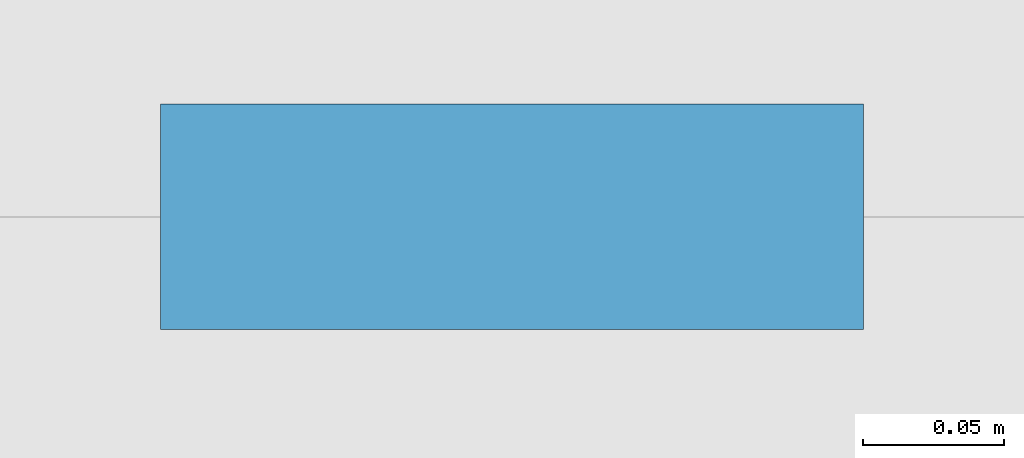
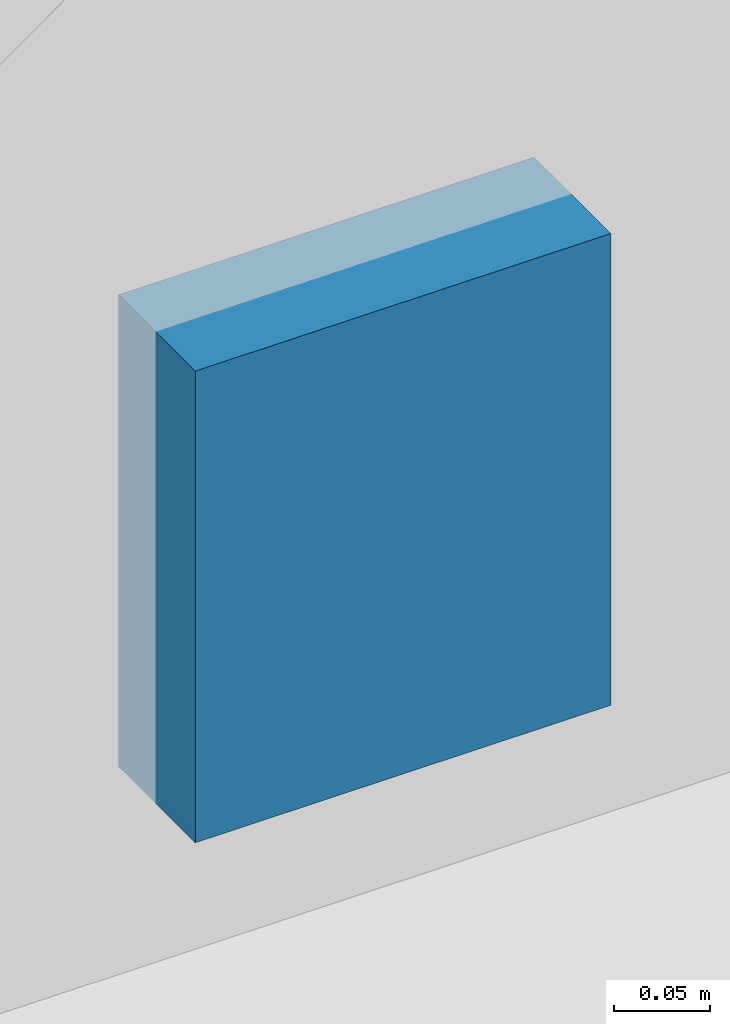
# One storey, part 111 of 249: 1 discrete accessory.
"""IFC4 building model written with IfcOpenShell, lengths in metres."""

from ifc_helpers import new_model, si_unit, direction, frame, origin, origin_2d, place, context, subcontext, project, spatial, rectangle, extrude, material, layer, layer_set, type_object, element, save


model = new_model("IFC4")

# Units and contexts
model_context = context("Model", 3, precision=1e-05, world=origin(), true_north=direction((0.0, 1.0)))
body_context = subcontext(model_context, "Body", "Model", "MODEL_VIEW")
ifc_project = project(units=[si_unit("LENGTHUNIT", "METRE"), si_unit("AREAUNIT", "SQUARE_METRE"), si_unit("VOLUMEUNIT", "CUBIC_METRE"), si_unit("PLANEANGLEUNIT", "RADIAN"), si_unit("MASSUNIT", "GRAM", prefix="KILO")], contexts=[model_context])

# Site, building, storey
site_placement = place(None, origin())
site = spatial("IfcSite", under=ifc_project, at=site_placement, CompositionType="ELEMENT")
building_placement = place(site_placement, origin())
building = spatial("IfcBuilding", under=site, at=building_placement, Name="Ogive Plaza Stadium", CompositionType="ELEMENT")
storey_placement = place(building_placement, frame((0.0, 0.0, 13.5)))
storey = spatial("IfcBuildingStorey", under=building, at=storey_placement, Name="L03", CompositionType="ELEMENT", Elevation=13.5)

# Discrete accessory
ifc_material = material(Name="Steel ASTM A572 Grade 50", Category="steel")
ifc_layer = layer(ifc_material, 0.080078125)
ifc_layer_set = layer_set([ifc_layer], Name="Steel ASTM A572 Grade 50")
discrete_accessory_type = type_object("IfcDiscreteAccessoryType", Name="Spandrel cladding bracket 250x300", PredefinedType="BRACKET", material=ifc_layer_set)
discrete_accessory_placement = place(storey_placement, frame((27.199951171875, 102.85009765625, -1.31005859375), z_axis=(0.0, 0.0, 1.0), x_axis=(1.0, 0.0, 0.0)))
element("IfcDiscreteAccessory", 1, at=discrete_accessory_placement, inside=storey, type_object=discrete_accessory_type, Name="SPANDREL BRACKET B36 L03", PredefinedType="BRACKET", context=body_context, shape_type="SweptSolid", body=[
    extrude(rectangle(XDim=0.25, YDim=0.080078125, at=origin_2d()), origin(), (0.0, 0.0, 1.0), 0.300048828125),
])

save(model, "model.ifc")
